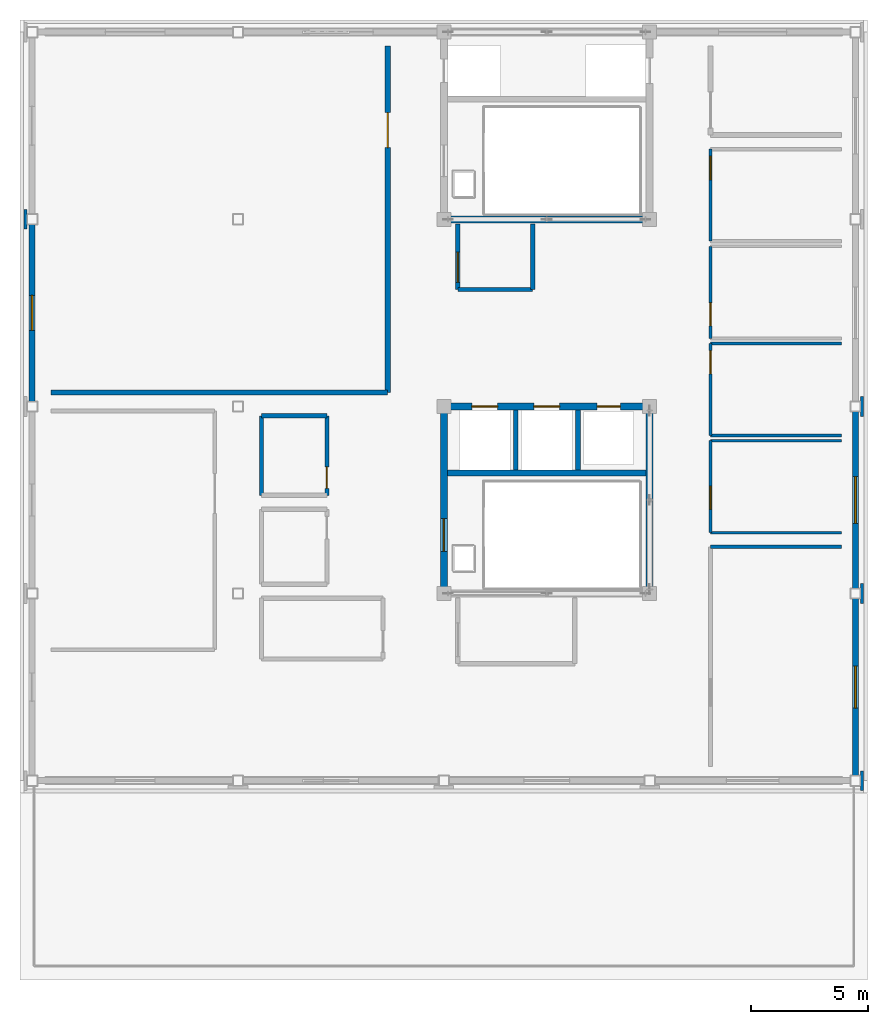
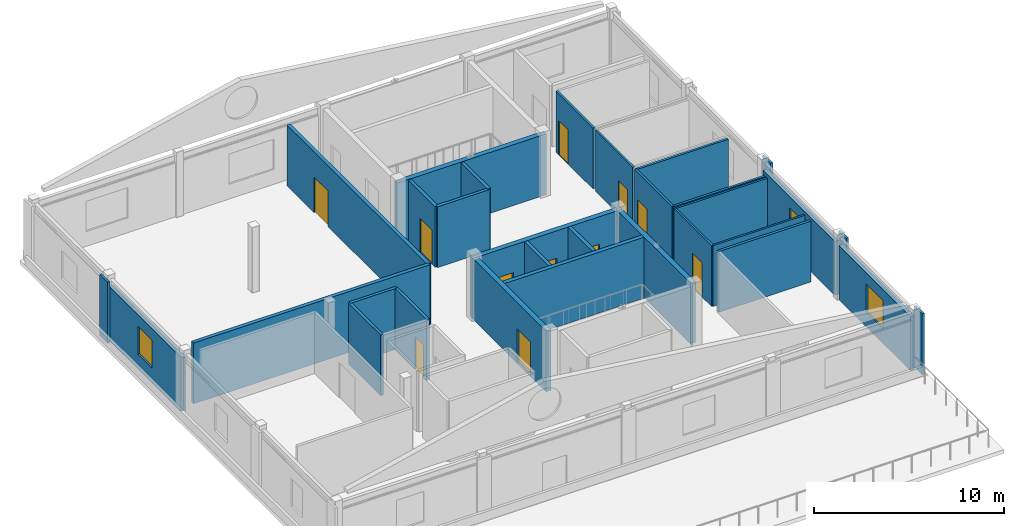
# One storey, part 8 of 10: 31 walls, 11 doors, 3 windows, 14 openings.
"""IFC4 building model written with IfcOpenShell, lengths in metres."""

from ifc_helpers import new_model, si_unit, direction, frame, frame_2d, origin, place, context, subcontext, project, spatial, rectangle, extrude, material, layer, layer_set, type_object, element, fill, save


model = new_model("IFC4")

# Units and contexts
model_context = context("Model", 3, precision=1e-05, world=origin(), true_north=direction((0.0, 1.0)))
body_context = subcontext(model_context, "Body", "Model", "MODEL_VIEW")
ifc_project = project(units=[si_unit("LENGTHUNIT", "METRE"), si_unit("AREAUNIT", "SQUARE_METRE"), si_unit("VOLUMEUNIT", "CUBIC_METRE"), si_unit("PLANEANGLEUNIT", "RADIAN"), si_unit("MASSUNIT", "GRAM", prefix="KILO")], contexts=[model_context])

# Site, building, storey
site_placement = place(None, origin())
site = spatial("IfcSite", under=ifc_project, at=site_placement, CompositionType="ELEMENT")
building_placement = place(site_placement, origin())
building = spatial("IfcBuilding", under=site, at=building_placement, Name="Zhaolan Boulevard Law Courts", CompositionType="ELEMENT")
storey_placement = place(building_placement, frame((0.0, 0.0, 41.39990234375)))
storey = spatial("IfcBuildingStorey", under=building, at=storey_placement, Name="L09", CompositionType="ELEMENT", Elevation=41.39990234375)

# Wall, openings, doors
ifc_material_1 = material(Name="Concrete C50", Category="concrete")
ifc_layer_1 = layer(ifc_material_1, 0.300048828125)
ifc_layer_set_1 = layer_set([ifc_layer_1])
wall_type_1 = type_object("IfcWallType", Name="CORE SHEAR WALL 300", PredefinedType="SHEAR", material=ifc_layer_set_1)
wall_1_placement = place(storey_placement, frame((26.550048828125, 54.0, 0.0), z_axis=(0.0, 0.0, 1.0), x_axis=(-1.0, 0.0, 0.0)))
wall_1 = element("IfcWall", 1, at=wall_1_placement, inside=storey, type_object=wall_type_1, Name="Core Shear Wall CW-W1-L09N", PredefinedType="SHEAR", context=body_context, shape_type="SweptSolid", body=[
    extrude(rectangle(XDim=9.10009765625, YDim=0.300048828125, at=frame_2d((4.550048828125, 0.0))), origin(), (0.0, 0.0, 1.0), 3.920166015625),
])
opening_1_placement = place(wall_1_placement, frame((6.64990234375, 0.0, 0.0)))
opening_1 = element("IfcOpeningElement", 2, at=opening_1_placement, cuts=wall_1, Name="Opening LD-FL-01-L09", PredefinedType="OPENING", context=body_context, shape_type="SweptSolid", body=[
    extrude(rectangle(XDim=1.10009765625, YDim=2.14990234375, at=frame_2d((0.550048828125, 1.074951171875))), frame((0.0, 0.159912109375, 0.0), z_axis=(0.0, -1.0, 0.0), x_axis=(1.0, 0.0, 0.0)), (0.0, 0.0, 1.0), 0.320068359375),
])
opening_2_placement = place(wall_1_placement, frame((4.0, 0.0, 0.0)))
opening_2 = element("IfcOpeningElement", 3, at=opening_2_placement, cuts=wall_1, Name="Opening LD-FL-02-L09", PredefinedType="OPENING", context=body_context, shape_type="SweptSolid", body=[
    extrude(rectangle(XDim=1.10009765625, YDim=2.14990234375, at=frame_2d((0.550048828125, 1.074951171875))), frame((0.0, 0.159912109375, 0.0), z_axis=(0.0, -1.0, 0.0), x_axis=(1.0, 0.0, 0.0)), (0.0, 0.0, 1.0), 0.320068359375),
])
opening_3_placement = place(wall_1_placement, frame((1.39990234375, 0.0, 0.0)))
opening_3 = element("IfcOpeningElement", 4, at=opening_3_placement, cuts=wall_1, Name="Opening LD-JL-01-L09", PredefinedType="OPENING", context=body_context, shape_type="SweptSolid", body=[
    extrude(rectangle(XDim=1.0, YDim=2.14990234375, at=frame_2d((0.5, 1.074951171875))), frame((0.0, 0.159912109375, 0.0), z_axis=(0.0, -1.0, 0.0), x_axis=(1.0, 0.0, 0.0)), (0.0, 0.0, 1.0), 0.320068359375),
])
ifc_material_2 = material(Name="Stainless steel sliding landing door", Category="steel")
door_type_1 = type_object("IfcDoorType", Name="LIFT LANDING 1000X2150", OperationType="DOUBLE_DOOR_SLIDING", PredefinedType="DOOR", material=ifc_material_2)
door_1_placement = place(opening_3_placement, origin())
door_1 = element("IfcDoor", 5, at=door_1_placement, inside=storey, type_object=door_type_1, Name="Lift Landing Sliding Door LD-JL-01-L09", OperationType="DOUBLE_DOOR_SLIDING", OverallHeight=2.14990234375, OverallWidth=1.0, PredefinedType="DOOR", context=body_context, shape_type="SweptSolid", body=[
    extrude(rectangle(XDim=1.0, YDim=2.14990234375, at=frame_2d((0.5, 1.074951171875))), frame((0.0, 0.02490234375, 0.0), z_axis=(0.0, -1.0, 0.0), x_axis=(1.0, 0.0, 0.0)), (0.0, 0.0, 1.0), 0.050048828125),
])
fill(opening_3, door_1)
ifc_material_3 = material(Name="Stainless steel sliding landing door", Category="steel")
door_type_2 = type_object("IfcDoorType", Name="LIFT LANDING 1100X2150", OperationType="DOUBLE_DOOR_SLIDING", PredefinedType="DOOR", material=ifc_material_3)
door_2_placement = place(opening_1_placement, origin())
door_2 = element("IfcDoor", 6, at=door_2_placement, inside=storey, type_object=door_type_2, Name="Lift Landing Sliding Door LD-FL-01-L09", OperationType="DOUBLE_DOOR_SLIDING", OverallHeight=2.14990234375, OverallWidth=1.10009765625, PredefinedType="DOOR", context=body_context, shape_type="SweptSolid", body=[
    extrude(rectangle(XDim=1.10009765625, YDim=2.14990234375, at=frame_2d((0.550048828125, 1.074951171875))), frame((0.0, 0.02490234375, 0.0), z_axis=(0.0, -1.0, 0.0), x_axis=(1.0, 0.0, 0.0)), (0.0, 0.0, 1.0), 0.050048828125),
])
fill(opening_1, door_2)
door_3_placement = place(opening_2_placement, origin())
door_3 = element("IfcDoor", 7, at=door_3_placement, inside=storey, type_object=door_type_2, Name="Lift Landing Sliding Door LD-FL-02-L09", OperationType="DOUBLE_DOOR_SLIDING", OverallHeight=2.14990234375, OverallWidth=1.10009765625, PredefinedType="DOOR", context=body_context, shape_type="SweptSolid", body=[
    extrude(rectangle(XDim=1.10009765625, YDim=2.14990234375, at=frame_2d((0.550048828125, 1.074951171875))), frame((0.0, 0.02490234375, 0.0), z_axis=(0.0, -1.0, 0.0), x_axis=(1.0, 0.0, 0.0)), (0.0, 0.0, 1.0), 0.050048828125),
])
fill(opening_2, door_3)

# Wall, opening, door
wall_2_placement = place(storey_placement, frame((17.60009765625, 46.14990234375, 0.0), z_axis=(0.0, 0.0, 1.0), x_axis=(0.0, 1.0, 0.0)))
wall_2 = element("IfcWall", 8, at=wall_2_placement, inside=storey, type_object=wall_type_1, Name="Core Shear Wall CW-W1-L09W", PredefinedType="SHEAR", context=body_context, shape_type="SweptSolid", body=[
    extrude(rectangle(XDim=7.7001953125, YDim=0.300048828125, at=frame_2d((3.85009765625, 0.0))), origin(), (0.0, 0.0, 1.0), 3.920166015625),
])
opening_4_placement = place(wall_2_placement, frame((1.64990234375, 0.0, 0.0)))
opening_4 = element("IfcOpeningElement", 9, at=opening_4_placement, cuts=wall_2, Name="Opening SD-L09-11", PredefinedType="OPENING", context=body_context, shape_type="SweptSolid", body=[
    extrude(rectangle(XDim=1.39990234375, YDim=2.199951171875, at=frame_2d((0.699951171875, 1.10009765625))), frame((0.0, 0.159912109375, 0.0), z_axis=(0.0, -1.0, 0.0), x_axis=(1.0, 0.0, 0.0)), (0.0, 0.0, 1.0), 0.320068359375),
])
ifc_material_4 = material(Name="Fire-rated steel acoustic door", Category="steel")
door_type_3 = type_object("IfcDoorType", Name="STAIR FIRE 1400X2200 L", OperationType="SINGLE_SWING_LEFT", PredefinedType="DOOR", material=ifc_material_4)
door_4_placement = place(opening_4_placement, origin())
door_4 = element("IfcDoor", 10, at=door_4_placement, inside=storey, type_object=door_type_3, Name="Smoke-Proof Stairwell Fire Door SD-L09-11", OperationType="SINGLE_SWING_LEFT", OverallHeight=2.199951171875, OverallWidth=1.39990234375, PredefinedType="DOOR", context=body_context, shape_type="SweptSolid", body=[
    extrude(rectangle(XDim=1.39990234375, YDim=2.199951171875, at=frame_2d((0.699951171875, 1.10009765625))), frame((0.0, 0.02490234375, 0.0), z_axis=(0.0, -1.0, 0.0), x_axis=(1.0, 0.0, 0.0)), (0.0, 0.0, 1.0), 0.050048828125),
])
fill(opening_4, door_4)

# Walls
wall_3_placement = place(storey_placement, frame((26.39990234375, 46.14990234375, 0.0), z_axis=(0.0, 0.0, 1.0), x_axis=(0.0, 1.0, 0.0)))
element("IfcWall", 11, at=wall_3_placement, inside=storey, type_object=wall_type_1, Name="Core Shear Wall CW-W1-L09E", PredefinedType="SHEAR", context=body_context, shape_type="SweptSolid", body=[
    extrude(rectangle(XDim=7.7001953125, YDim=0.300048828125, at=frame_2d((3.85009765625, 0.0))), origin(), (0.0, 0.0, 1.0), 3.920166015625),
])
wall_4_placement = place(storey_placement, frame((17.449951171875, 62.0, 0.0), z_axis=(0.0, 0.0, 1.0), x_axis=(1.0, 0.0, 0.0)))
element("IfcWall", 12, at=wall_4_placement, inside=storey, type_object=wall_type_1, Name="Core Shear Wall CW-W2-L09S", PredefinedType="SHEAR", context=body_context, shape_type="SweptSolid", body=[
    extrude(rectangle(XDim=9.10009765625, YDim=0.300048828125, at=frame_2d((4.550048828125, 0.0))), origin(), (0.0, 0.0, 1.0), 3.920166015625),
])
ifc_material_5 = material(Name="Concrete C40", Category="concrete")
ifc_layer_2 = layer(ifc_material_5, 0.139892578125)
ifc_layer_set_2 = layer_set([ifc_layer_2])
wall_type_2 = type_object("IfcWallType", Name="EXT WALL ARCH CLAD140", PredefinedType="SOLIDWALL", material=ifc_layer_set_2)
for number, where, z_axis, x_axis, name in (
    (13, (35.47998046875, 37.580078125, 0.0), (0.0, 0.0, 1.0), (0.0, 1.0, 0.0), "Concrete Column Cloak Pier CPR-203"),
    (14, (35.47998046875, 45.580078125, 0.0), (0.0, 0.0, 1.0), (0.0, 1.0, 0.0), "Concrete Column Cloak Pier CPR-205"),
    (15, (35.47998046875, 53.580078125, 0.0), (0.0, 0.0, 1.0), (0.0, 1.0, 0.0), "Concrete Column Cloak Pier CPR-207"),
    (16, (-0.280029296875, 61.580078125, 0.0), (0.0, 0.0, 1.0), (0.0, 1.0, 0.0), "Concrete Column Cloak Pier CPR-208"),
):
    element("IfcWall", number, at=place(storey_placement, frame(where, z_axis=z_axis, x_axis=x_axis)), inside=storey, type_object=wall_type_2, Name=name, PredefinedType="SOLIDWALL", context=body_context, shape_type="SweptSolid", body=[
        extrude(rectangle(XDim=0.83984375, YDim=0.139892578125, at=frame_2d((0.419921875, 0.0))), origin(), (0.0, 0.0, 1.0), 3.940185546875),
    ])

# Wall, opening, window
ifc_material_6 = material(Name="Concrete C40", Category="concrete")
ifc_layer_3 = layer(ifc_material_6, 0.260009765625)
ifc_layer_set_3 = layer_set([ifc_layer_3])
wall_type_3 = type_object("IfcWallType", Name="EXT WALL CONCRETE260", PredefinedType="SOLIDWALL", material=ifc_layer_set_3)
wall_5_placement = place(storey_placement, frame((0.0, 61.779052734375, 0.0), z_axis=(0.0, 0.0, 1.0), x_axis=(0.0, -1.0, 0.0)))
wall_5 = element("IfcWall", 17, at=wall_5_placement, inside=storey, type_object=wall_type_3, Name="Exterior Wall EW-L09-434", PredefinedType="SOLIDWALL", context=body_context, shape_type="SweptSolid", body=[
    extrude(rectangle(XDim=7.55810546875, YDim=0.260009765625, at=frame_2d((3.779052734375, 0.0))), origin(), (0.0, 0.0, 1.0), 3.47314453125),
])
opening_5_placement = place(wall_5_placement, frame((3.029052734375, 0.0, 0.949951171875)))
opening_5 = element("IfcOpeningElement", 18, at=opening_5_placement, cuts=wall_5, Name="Opening WIN-L09-282", PredefinedType="OPENING", context=body_context, shape_type="SweptSolid", body=[
    extrude(rectangle(XDim=1.5, YDim=1.800048828125, at=frame_2d((0.75, 0.89990234375))), frame((0.0, 0.139892578125, 0.0), z_axis=(0.0, -1.0, 0.0), x_axis=(1.0, 0.0, 0.0)), (0.0, 0.0, 1.0), 0.280029296875),
])
ifc_material_7 = material(Name="Thermally broken aluminium and low-E glazing", Category="aluminium")
window_type_1 = type_object("IfcWindowType", Name="WINDOW 1500X1800", PartitioningType="SINGLE_PANEL", PredefinedType="WINDOW", material=ifc_material_7)
window_1_placement = place(opening_5_placement, origin())
window_1 = element("IfcWindow", 19, at=window_1_placement, inside=storey, type_object=window_type_1, Name="Exterior Window WIN-L09-282", OverallHeight=1.800048828125, OverallWidth=1.5, PartitioningType="SINGLE_PANEL", PredefinedType="WINDOW", context=body_context, shape_type="SweptSolid", body=[
    extrude(rectangle(XDim=1.5, YDim=1.800048828125, at=frame_2d((0.75, 0.89990234375))), frame((0.0, 0.030029296875, 0.0), z_axis=(0.0, -1.0, 0.0), x_axis=(1.0, 0.0, 0.0)), (0.0, 0.0, 1.0), 0.06005859375),
])
fill(opening_5, window_1)

wall_6_placement = place(storey_placement, frame((35.199951171875, 38.220947265625, 0.0), z_axis=(0.0, 0.0, 1.0), x_axis=(0.0, 1.0, 0.0)))
wall_6 = element("IfcWall", 20, at=wall_6_placement, inside=storey, type_object=wall_type_3, Name="Exterior Wall EW-L09-436", PredefinedType="SOLIDWALL", context=body_context, shape_type="SweptSolid", body=[
    extrude(rectangle(XDim=7.55810546875, YDim=0.260009765625, at=frame_2d((3.779052734375, 0.0))), origin(), (0.0, 0.0, 1.0), 3.47314453125),
])
opening_6_placement = place(wall_6_placement, frame((2.87890625, 0.0, 0.949951171875)))
opening_6 = element("IfcOpeningElement", 21, at=opening_6_placement, cuts=wall_6, Name="Opening WIN-L09-284", PredefinedType="OPENING", context=body_context, shape_type="SweptSolid", body=[
    extrude(rectangle(XDim=1.800048828125, YDim=1.800048828125, at=frame_2d((0.89990234375, 0.89990234375))), frame((0.0, 0.139892578125, 0.0), z_axis=(0.0, -1.0, 0.0), x_axis=(1.0, 0.0, 0.0)), (0.0, 0.0, 1.0), 0.280029296875),
])
ifc_material_8 = material(Name="Thermally broken aluminium and low-E glazing", Category="aluminium")
window_type_2 = type_object("IfcWindowType", Name="WINDOW 1800X1800", PartitioningType="DOUBLE_PANEL_VERTICAL", PredefinedType="WINDOW", material=ifc_material_8)
window_2_placement = place(opening_6_placement, origin())
window_2 = element("IfcWindow", 22, at=window_2_placement, inside=storey, type_object=window_type_2, Name="Exterior Window WIN-L09-284", OverallHeight=1.800048828125, OverallWidth=1.800048828125, PartitioningType="SINGLE_PANEL", PredefinedType="WINDOW", context=body_context, shape_type="SweptSolid", body=[
    extrude(rectangle(XDim=1.800048828125, YDim=1.800048828125, at=frame_2d((0.89990234375, 0.89990234375))), frame((0.0, 0.030029296875, 0.0), z_axis=(0.0, -1.0, 0.0), x_axis=(1.0, 0.0, 0.0)), (0.0, 0.0, 1.0), 0.06005859375),
])
fill(opening_6, window_2)

wall_7_placement = place(storey_placement, frame((35.199951171875, 46.220947265625, 0.0), z_axis=(0.0, 0.0, 1.0), x_axis=(0.0, 1.0, 0.0)))
wall_7 = element("IfcWall", 23, at=wall_7_placement, inside=storey, type_object=wall_type_3, Name="Exterior Wall EW-L09-437", PredefinedType="SOLIDWALL", context=body_context, shape_type="SweptSolid", body=[
    extrude(rectangle(XDim=7.55810546875, YDim=0.260009765625, at=frame_2d((3.779052734375, 0.0))), origin(), (0.0, 0.0, 1.0), 3.47314453125),
])
opening_7_placement = place(wall_7_placement, frame((2.779052734375, 0.0, 0.949951171875)))
opening_7 = element("IfcOpeningElement", 24, at=opening_7_placement, cuts=wall_7, Name="Opening WIN-L09-285", PredefinedType="OPENING", context=body_context, shape_type="SweptSolid", body=[
    extrude(rectangle(XDim=2.0, YDim=1.800048828125, at=frame_2d((1.0, 0.89990234375))), frame((0.0, 0.139892578125, 0.0), z_axis=(0.0, -1.0, 0.0), x_axis=(1.0, 0.0, 0.0)), (0.0, 0.0, 1.0), 0.280029296875),
])
ifc_material_9 = material(Name="Thermally broken aluminium and low-E glazing", Category="aluminium")
window_type_3 = type_object("IfcWindowType", Name="WINDOW 2000X1800", PartitioningType="DOUBLE_PANEL_VERTICAL", PredefinedType="WINDOW", material=ifc_material_9)
window_3_placement = place(opening_7_placement, origin())
window_3 = element("IfcWindow", 25, at=window_3_placement, inside=storey, type_object=window_type_3, Name="Exterior Window WIN-L09-285", OverallHeight=1.800048828125, OverallWidth=2.0, PartitioningType="SINGLE_PANEL", PredefinedType="WINDOW", context=body_context, shape_type="SweptSolid", body=[
    extrude(rectangle(XDim=2.0, YDim=1.800048828125, at=frame_2d((1.0, 0.89990234375))), frame((0.0, 0.030029296875, 0.0), z_axis=(0.0, -1.0, 0.0), x_axis=(1.0, 0.0, 0.0)), (0.0, 0.0, 1.0), 0.06005859375),
])
fill(opening_7, window_3)

# Walls
ifc_material_10 = material(Name="Concrete C50", Category="concrete")
ifc_layer_4 = layer(ifc_material_10, 0.239990234375)
ifc_layer_set_4 = layer_set([ifc_layer_4])
wall_type_4 = type_object("IfcWallType", Name="LIFT SHAFT WALL 240", PredefinedType="SHEAR", material=ifc_layer_set_4)
wall_8_placement = place(storey_placement, frame((17.75, 51.155029296875, 0.0), z_axis=(0.0, 0.0, 1.0), x_axis=(1.0, 0.0, 0.0)))
element("IfcWall", 26, at=wall_8_placement, inside=storey, type_object=wall_type_4, Name="Lift Shaft Enclosure Wall W1 (L09)", PredefinedType="SHEAR", context=body_context, shape_type="SweptSolid", body=[
    extrude(rectangle(XDim=8.5, YDim=0.239990234375, at=frame_2d((4.25, 0.0))), origin(), (0.0, 0.0, 1.0), 3.920166015625),
])
ifc_material_11 = material(Name="Acoustic gypsum and mineral-wool stud")
ifc_layer_5 = layer(ifc_material_11, 0.18994140625)
ifc_layer_set_5 = layer_set([ifc_layer_5])
wall_type_5 = type_object("IfcWallType", Name="PART WALL ACOUST190", PredefinedType="PARTITIONING", material=ifc_layer_set_5)
wall_9_placement = place(storey_placement, frame((18.199951171875, 59.0, 0.0), z_axis=(0.0, 0.0, 1.0), x_axis=(1.0, 0.0, 0.0)))
element("IfcWall", 27, at=wall_9_placement, inside=storey, type_object=wall_type_5, Name="Interior Partition PW-L09-064", PredefinedType="PARTITIONING", context=body_context, shape_type="SweptSolid", body=[
    extrude(rectangle(XDim=3.199951171875, YDim=0.18994140625, at=frame_2d((1.60009765625, 0.0))), origin(), (0.0, 0.0, 1.0), 3.920166015625),
])

# Wall, opening, door
wall_10_placement = place(storey_placement, frame((18.199951171875, 61.800048828125, 0.0), z_axis=(0.0, 0.0, 1.0), x_axis=(0.0, -1.0, 0.0)))
wall_10 = element("IfcWall", 28, at=wall_10_placement, inside=storey, type_object=wall_type_5, Name="Interior Partition PW-L09-065", PredefinedType="PARTITIONING", context=body_context, shape_type="SweptSolid", body=[
    extrude(rectangle(XDim=2.800048828125, YDim=0.18994140625, at=frame_2d((1.39990234375, 0.0))), origin(), (0.0, 0.0, 1.0), 3.920166015625),
])
opening_8_placement = place(wall_10_placement, frame((1.199951171875, 0.0, 0.0)))
opening_8 = element("IfcOpeningElement", 29, at=opening_8_placement, cuts=wall_10, Name="Opening FD-L09-022", PredefinedType="OPENING", context=body_context, shape_type="SweptSolid", body=[
    extrude(rectangle(XDim=1.300048828125, YDim=2.199951171875, at=frame_2d((0.64990234375, 1.10009765625))), frame((0.0, 0.10498046875, 0.0), z_axis=(0.0, -1.0, 0.0), x_axis=(1.0, 0.0, 0.0)), (0.0, 0.0, 1.0), 0.2099609375),
])
ifc_material_12 = material(Name="Fire-rated steel acoustic door", Category="steel")
door_type_4 = type_object("IfcDoorType", Name="LOBBY FIRE 1300X2200 R", OperationType="SINGLE_SWING_RIGHT", PredefinedType="DOOR", material=ifc_material_12)
door_5_placement = place(opening_8_placement, origin())
door_5 = element("IfcDoor", 30, at=door_5_placement, inside=storey, type_object=door_type_4, Name="Door FD-L09-022 (Lobby Firefighting Lift L09-W2)", OperationType="SINGLE_SWING_RIGHT", OverallHeight=2.199951171875, OverallWidth=1.300048828125, PredefinedType="DOOR", context=body_context, shape_type="SweptSolid", body=[
    extrude(rectangle(XDim=1.300048828125, YDim=2.199951171875, at=frame_2d((0.64990234375, 1.10009765625))), frame((0.0, 0.02490234375, 0.0), z_axis=(0.0, -1.0, 0.0), x_axis=(1.0, 0.0, 0.0)), (0.0, 0.0, 1.0), 0.050048828125),
])
fill(opening_8, door_5)

# Walls
wall_11_placement = place(storey_placement, frame((21.39990234375, 59.0, 0.0), z_axis=(0.0, 0.0, 1.0), x_axis=(0.0, 1.0, 0.0)))
element("IfcWall", 31, at=wall_11_placement, inside=storey, type_object=wall_type_5, Name="Interior Partition PW-L09-066", PredefinedType="PARTITIONING", context=body_context, shape_type="SweptSolid", body=[
    extrude(rectangle(XDim=2.800048828125, YDim=0.18994140625, at=frame_2d((1.39990234375, 0.0))), origin(), (0.0, 0.0, 1.0), 3.920166015625),
])
ifc_material_13 = material(Name="Fire-rated gypsum stud partition")
ifc_layer_6 = layer(ifc_material_13, 0.159912109375)
ifc_layer_set_6 = layer_set([ifc_layer_6])
wall_type_6 = type_object("IfcWallType", Name="PART WALL CHAMB160", PredefinedType="PARTITIONING", material=ifc_layer_set_6)
wall_12_placement = place(storey_placement, frame((34.60009765625, 48.0, 0.0), z_axis=(0.0, 0.0, 1.0), x_axis=(-1.0, 0.0, 0.0)))
element("IfcWall", 32, at=wall_12_placement, inside=storey, type_object=wall_type_6, Name="Interior Partition PW-L09-732", PredefinedType="PARTITIONING", context=body_context, shape_type="SweptSolid", body=[
    extrude(rectangle(XDim=5.60009765625, YDim=0.159912109375, at=frame_2d((2.800048828125, 0.0))), origin(), (0.0, 0.0, 1.0), 3.920166015625),
])
ifc_material_14 = material(Name="Concrete C40", Category="concrete")
ifc_layer_7 = layer(ifc_material_14, 0.219970703125)
ifc_layer_set_7 = layer_set([ifc_layer_7])
wall_type_7 = type_object("IfcWallType", Name="PART WALL COURT220", PredefinedType="PARTITIONING", material=ifc_layer_set_7)
wall_13_placement = place(storey_placement, frame((0.800048828125, 54.60009765625, 0.0), z_axis=(0.0, 0.0, 1.0), x_axis=(1.0, 0.0, 0.0)))
element("IfcWall", 33, at=wall_13_placement, inside=storey, type_object=wall_type_7, Name="Interior Partition PW-L09-730", PredefinedType="PARTITIONING", context=body_context, shape_type="SweptSolid", body=[
    extrude(rectangle(XDim=14.39990234375, YDim=0.219970703125, at=frame_2d((7.199951171875, 0.0))), origin(), (0.0, 0.0, 1.0), 3.920166015625),
])

# Wall, opening, door
wall_14_placement = place(storey_placement, frame((15.199951171875, 54.60009765625, 0.0), z_axis=(0.0, 0.0, 1.0), x_axis=(0.0, 1.0, 0.0)))
wall_14 = element("IfcWall", 34, at=wall_14_placement, inside=storey, type_object=wall_type_7, Name="Interior Partition PW-L09-731", PredefinedType="PARTITIONING", context=body_context, shape_type="SweptSolid", body=[
    extrude(rectangle(XDim=14.7998046875, YDim=0.219970703125, at=frame_2d((7.39990234375, 0.0))), origin(), (0.0, 0.0, 1.0), 3.920166015625),
])
opening_9_placement = place(wall_14_placement, frame((10.4599609375, 0.0, 0.0)))
opening_9 = element("IfcOpeningElement", 35, at=opening_9_placement, cuts=wall_14, Name="Opening ID-L09-227", PredefinedType="OPENING", context=body_context, shape_type="SweptSolid", body=[
    extrude(rectangle(XDim=1.5, YDim=2.300048828125, at=frame_2d((0.75, 1.14990234375))), frame((0.0, 0.119873046875, 0.0), z_axis=(0.0, -1.0, 0.0), x_axis=(1.0, 0.0, 0.0)), (0.0, 0.0, 1.0), 0.239990234375),
])
ifc_material_15 = material(Name="Solid-core acoustic oak veneer door")
door_type_5 = type_object("IfcDoorType", Name="COURT DOUBLE 1500X2300", OperationType="DOUBLE_DOOR_SINGLE_SWING", PredefinedType="DOOR", material=ifc_material_15)
door_6_placement = place(opening_9_placement, origin())
door_6 = element("IfcDoor", 36, at=door_6_placement, inside=storey, type_object=door_type_5, Name="Door ID-L09-227 (Judicial Committee Courtroom)", OperationType="DOUBLE_DOOR_SINGLE_SWING", OverallHeight=2.300048828125, OverallWidth=1.5, PredefinedType="DOOR", context=body_context, shape_type="SweptSolid", body=[
    extrude(rectangle(XDim=1.5, YDim=2.300048828125, at=frame_2d((0.75, 1.14990234375))), frame((0.0, 0.02490234375, 0.0), z_axis=(0.0, -1.0, 0.0), x_axis=(1.0, 0.0, 0.0)), (0.0, 0.0, 1.0), 0.050048828125),
])
fill(opening_9, door_6)

# Walls
ifc_material_16 = material(Name="Concrete C40", Category="concrete")
ifc_layer_8 = layer(ifc_material_16, 0.2099609375)
ifc_layer_set_8 = layer_set([ifc_layer_8])
wall_type_8 = type_object("IfcWallType", Name="PART WALL CUSTODY210", PredefinedType="PARTITIONING", material=ifc_layer_set_8)
for number, where, z_axis, x_axis, name in (
    (37, (20.675048828125, 51.277099609375, 0.0), (0.0, 0.0, 1.0), (0.0, 1.0, 0.0), "Lift Shaft Divider Wall W1-1 (L09)"),
    (38, (23.337890625, 51.277099609375, 0.0), (0.0, 0.0, 1.0), (0.0, 1.0, 0.0), "Lift Shaft Divider Wall W1-2 (L09)"),
):
    element("IfcWall", number, at=place(storey_placement, frame(where, z_axis=z_axis, x_axis=x_axis)), inside=storey, type_object=wall_type_8, Name=name, PredefinedType="PARTITIONING", context=body_context, shape_type="SweptSolid", body=[
        extrude(rectangle(XDim=2.57080078125, YDim=0.2099609375, at=frame_2d((1.285400390625, 0.0))), origin(), (0.0, 0.0, 1.0), 3.920166015625),
    ])
ifc_material_17 = material(Name="Gypsum board stud partition")
ifc_layer_9 = layer(ifc_material_17, 0.1201171875)
ifc_layer_set_9 = layer_set([ifc_layer_9])
wall_type_9 = type_object("IfcWallType", Name="PART WALL LIGHT120", PredefinedType="PARTITIONING", material=ifc_layer_set_9)
for number, where, z_axis, x_axis, name in (
    (39, (29.0, 48.60009765625, 0.0), (0.0, 0.0, 1.0), (1.0, 0.0, 0.0), "Interior Partition PW-L09-734"),
    (40, (34.60009765625, 52.534912109375, 0.0), (0.0, 0.0, 1.0), (-1.0, 0.0, 0.0), "Interior Partition PW-L09-735"),
):
    element("IfcWall", number, at=place(storey_placement, frame(where, z_axis=z_axis, x_axis=x_axis)), inside=storey, type_object=wall_type_9, Name=name, PredefinedType="PARTITIONING", context=body_context, shape_type="SweptSolid", body=[
        extrude(rectangle(XDim=5.60009765625, YDim=0.1201171875, at=frame_2d((2.800048828125, 0.0))), origin(), (0.0, 0.0, 1.0), 3.920166015625),
    ])

# Wall, opening, door
wall_15_placement = place(storey_placement, frame((29.0, 52.534912109375, 0.0), z_axis=(0.0, 0.0, 1.0), x_axis=(0.0, -1.0, 0.0)))
wall_15 = element("IfcWall", 41, at=wall_15_placement, inside=storey, type_object=wall_type_9, Name="Interior Partition PW-L09-736", PredefinedType="PARTITIONING", context=body_context, shape_type="SweptSolid", body=[
    extrude(rectangle(XDim=3.934814453125, YDim=0.1201171875, at=frame_2d((1.96728515625, 0.0))), origin(), (0.0, 0.0, 1.0), 3.920166015625),
])
opening_10_placement = place(wall_15_placement, frame((1.947998046875, 0.0, 0.0)))
opening_10 = element("IfcOpeningElement", 42, at=opening_10_placement, cuts=wall_15, Name="Opening JD-L09-229", PredefinedType="OPENING", context=body_context, shape_type="SweptSolid", body=[
    extrude(rectangle(XDim=0.97998046875, YDim=2.199951171875, at=frame_2d((0.489990234375, 1.10009765625))), frame((0.0, 0.070068359375, 0.0), z_axis=(0.0, -1.0, 0.0), x_axis=(1.0, 0.0, 0.0)), (0.0, 0.0, 1.0), 0.14013671875),
])
ifc_material_18 = material(Name="Solid-core acoustic oak veneer door")
door_type_6 = type_object("IfcDoorType", Name="CHAMBER DOOR 980X2200 R", OperationType="SINGLE_SWING_RIGHT", PredefinedType="DOOR", material=ifc_material_18)
door_7_placement = place(opening_10_placement, origin())
door_7 = element("IfcDoor", 43, at=door_7_placement, inside=storey, type_object=door_type_6, Name="Door JD-L09-229 (Judges' Chambers L09-01)", OperationType="SINGLE_SWING_RIGHT", OverallHeight=2.199951171875, OverallWidth=0.97998046875, PredefinedType="DOOR", context=body_context, shape_type="SweptSolid", body=[
    extrude(rectangle(XDim=0.97998046875, YDim=2.199951171875, at=frame_2d((0.489990234375, 1.10009765625))), frame((0.0, 0.02490234375, 0.0), z_axis=(0.0, -1.0, 0.0), x_axis=(1.0, 0.0, 0.0)), (0.0, 0.0, 1.0), 0.050048828125),
])
fill(opening_10, door_7)

wall_16_placement = place(storey_placement, frame((29.0, 60.844970703125, 0.0), z_axis=(0.0, 0.0, 1.0), x_axis=(0.0, -1.0, 0.0)))
wall_16 = element("IfcWall", 44, at=wall_16_placement, inside=storey, type_object=wall_type_9, Name="Interior Partition PW-L09-742", PredefinedType="PARTITIONING", context=body_context, shape_type="SweptSolid", body=[
    extrude(rectangle(XDim=3.93505859375, YDim=0.1201171875, at=frame_2d((1.967529296875, 0.0))), origin(), (0.0, 0.0, 1.0), 3.920166015625),
])
opening_11_placement = place(wall_16_placement, frame((2.419921875, 0.0, 0.0)))
opening_11 = element("IfcOpeningElement", 45, at=opening_11_placement, cuts=wall_16, Name="Opening JD-L09-231", PredefinedType="OPENING", context=body_context, shape_type="SweptSolid", body=[
    extrude(rectangle(XDim=0.97998046875, YDim=2.14990234375, at=frame_2d((0.489990234375, 1.074951171875))), frame((0.0, 0.070068359375, 0.0), z_axis=(0.0, -1.0, 0.0), x_axis=(1.0, 0.0, 0.0)), (0.0, 0.0, 1.0), 0.14013671875),
])
ifc_material_19 = material(Name="Solid-core acoustic oak veneer door")
door_type_7 = type_object("IfcDoorType", Name="CHAMBER DOOR 980X2150 R", OperationType="SINGLE_SWING_RIGHT", PredefinedType="DOOR", material=ifc_material_19)
door_8_placement = place(opening_11_placement, origin())
door_8 = element("IfcDoor", 46, at=door_8_placement, inside=storey, type_object=door_type_7, Name="Door JD-L09-231 (Judges' Chambers L09-03)", OperationType="SINGLE_SWING_RIGHT", OverallHeight=2.14990234375, OverallWidth=0.97998046875, PredefinedType="DOOR", context=body_context, shape_type="SweptSolid", body=[
    extrude(rectangle(XDim=0.97998046875, YDim=2.14990234375, at=frame_2d((0.489990234375, 1.074951171875))), frame((0.0, 0.02490234375, 0.0), z_axis=(0.0, -1.0, 0.0), x_axis=(1.0, 0.0, 0.0)), (0.0, 0.0, 1.0), 0.050048828125),
])
fill(opening_11, door_8)

# Walls
ifc_material_20 = material(Name="Fire-rated gypsum stud partition")
ifc_layer_10 = layer(ifc_material_20, 0.139892578125)
ifc_layer_set_10 = layer_set([ifc_layer_10])
wall_type_10 = type_object("IfcWallType", Name="PART WALL OFFICE140", PredefinedType="PARTITIONING", material=ifc_layer_set_10)
for number, where, z_axis, x_axis, name in (
    (47, (29.0, 52.7548828125, 0.0), (0.0, 0.0, 1.0), (1.0, 0.0, 0.0), "Interior Partition PW-L09-737"),
    (48, (34.60009765625, 56.68994140625, 0.0), (0.0, 0.0, 1.0), (-1.0, 0.0, 0.0), "Interior Partition PW-L09-738"),
):
    element("IfcWall", number, at=place(storey_placement, frame(where, z_axis=z_axis, x_axis=x_axis)), inside=storey, type_object=wall_type_10, Name=name, PredefinedType="PARTITIONING", context=body_context, shape_type="SweptSolid", body=[
        extrude(rectangle(XDim=5.60009765625, YDim=0.139892578125, at=frame_2d((2.800048828125, 0.0))), origin(), (0.0, 0.0, 1.0), 3.920166015625),
    ])

# Wall, opening, door
wall_17_placement = place(storey_placement, frame((29.0, 56.68994140625, 0.0), z_axis=(0.0, 0.0, 1.0), x_axis=(0.0, -1.0, 0.0)))
wall_17 = element("IfcWall", 49, at=wall_17_placement, inside=storey, type_object=wall_type_10, Name="Interior Partition PW-L09-739", PredefinedType="PARTITIONING", context=body_context, shape_type="SweptSolid", body=[
    extrude(rectangle(XDim=3.93505859375, YDim=0.139892578125, at=frame_2d((1.967529296875, 0.0))), origin(), (0.0, 0.0, 1.0), 3.920166015625),
])
opening_12_placement = place(wall_17_placement, frame((0.300048828125, 0.0, 0.0)))
opening_12 = element("IfcOpeningElement", 50, at=opening_12_placement, cuts=wall_17, Name="Opening JD-L09-230", PredefinedType="OPENING", context=body_context, shape_type="SweptSolid", body=[
    extrude(rectangle(XDim=1.0, YDim=2.14990234375, at=frame_2d((0.5, 1.074951171875))), frame((0.0, 0.079833984375, 0.0), z_axis=(0.0, -1.0, 0.0), x_axis=(1.0, 0.0, 0.0)), (0.0, 0.0, 1.0), 0.159912109375),
])
ifc_material_21 = material(Name="Solid-core acoustic oak veneer door")
door_type_8 = type_object("IfcDoorType", Name="CHAMBER DOOR 1000X2150 L", OperationType="SINGLE_SWING_LEFT", PredefinedType="DOOR", material=ifc_material_21)
door_9_placement = place(opening_12_placement, origin())
door_9 = element("IfcDoor", 51, at=door_9_placement, inside=storey, type_object=door_type_8, Name="Door JD-L09-230 (Judges' Chambers L09-02)", OperationType="SINGLE_SWING_LEFT", OverallHeight=2.14990234375, OverallWidth=1.0, PredefinedType="DOOR", context=body_context, shape_type="SweptSolid", body=[
    extrude(rectangle(XDim=1.0, YDim=2.14990234375, at=frame_2d((0.5, 1.074951171875))), frame((0.0, 0.02490234375, 0.0), z_axis=(0.0, -1.0, 0.0), x_axis=(1.0, 0.0, 0.0)), (0.0, 0.0, 1.0), 0.050048828125),
])
fill(opening_12, door_9)

wall_18_placement = place(storey_placement, frame((29.0, 65.0, 0.0), z_axis=(0.0, 0.0, 1.0), x_axis=(0.0, -1.0, 0.0)))
wall_18 = element("IfcWall", 52, at=wall_18_placement, inside=storey, type_object=wall_type_10, Name="Interior Partition PW-L09-745", PredefinedType="PARTITIONING", context=body_context, shape_type="SweptSolid", body=[
    extrude(rectangle(XDim=3.93505859375, YDim=0.139892578125, at=frame_2d((1.967529296875, 0.0))), origin(), (0.0, 0.0, 1.0), 3.920166015625),
])
opening_13_placement = place(wall_18_placement, frame((0.300048828125, 0.0, 0.0)))
opening_13 = element("IfcOpeningElement", 53, at=opening_13_placement, cuts=wall_18, Name="Opening JD-L09-232", PredefinedType="OPENING", context=body_context, shape_type="SweptSolid", body=[
    extrude(rectangle(XDim=1.0, YDim=2.199951171875, at=frame_2d((0.5, 1.10009765625))), frame((0.0, 0.079833984375, 0.0), z_axis=(0.0, -1.0, 0.0), x_axis=(1.0, 0.0, 0.0)), (0.0, 0.0, 1.0), 0.159912109375),
])
ifc_material_22 = material(Name="Solid-core acoustic oak veneer door")
door_type_9 = type_object("IfcDoorType", Name="CHAMBER DOOR 1000X2200 L", OperationType="SINGLE_SWING_LEFT", PredefinedType="DOOR", material=ifc_material_22)
door_10_placement = place(opening_13_placement, origin())
door_10 = element("IfcDoor", 54, at=door_10_placement, inside=storey, type_object=door_type_9, Name="Door JD-L09-232 (Judges' Chambers L09-04)", OperationType="SINGLE_SWING_LEFT", OverallHeight=2.199951171875, OverallWidth=1.0, PredefinedType="DOOR", context=body_context, shape_type="SweptSolid", body=[
    extrude(rectangle(XDim=1.0, YDim=2.199951171875, at=frame_2d((0.5, 1.10009765625))), frame((0.0, 0.02490234375, 0.0), z_axis=(0.0, -1.0, 0.0), x_axis=(1.0, 0.0, 0.0)), (0.0, 0.0, 1.0), 0.050048828125),
])
fill(opening_13, door_10)

# Walls
ifc_material_23 = material(Name="Moisture-resistant masonry chase wall", Category="masonry")
ifc_layer_11 = layer(ifc_material_23, 0.179931640625)
ifc_layer_set_11 = layer_set([ifc_layer_11])
wall_type_11 = type_object("IfcWallType", Name="PLUMB WALL 180", PredefinedType="PLUMBINGWALL", material=ifc_layer_set_11)
wall_19_placement = place(storey_placement, frame((12.60009765625, 53.60009765625, 0.0), z_axis=(0.0, 0.0, 1.0), x_axis=(-1.0, 0.0, 0.0)))
element("IfcWall", 55, at=wall_19_placement, inside=storey, type_object=wall_type_11, Name="Interior Partition PW-L09-204", PredefinedType="PLUMBINGWALL", context=body_context, shape_type="SweptSolid", body=[
    extrude(rectangle(XDim=2.800048828125, YDim=0.179931640625, at=frame_2d((1.39990234375, 0.0))), origin(), (0.0, 0.0, 1.0), 3.920166015625),
])
wall_20_placement = place(storey_placement, frame((9.800048828125, 53.60009765625, 0.0), z_axis=(0.0, 0.0, 1.0), x_axis=(0.0, -1.0, 0.0)))
element("IfcWall", 56, at=wall_20_placement, inside=storey, type_object=wall_type_11, Name="Interior Partition PW-L09-205", PredefinedType="PLUMBINGWALL", context=body_context, shape_type="SweptSolid", body=[
    extrude(rectangle(XDim=3.400146484375, YDim=0.179931640625, at=frame_2d((1.7001953125, 0.0))), origin(), (0.0, 0.0, 1.0), 3.920166015625),
])

# Wall, opening, door
wall_21_placement = place(storey_placement, frame((12.60009765625, 50.199951171875, 0.0), z_axis=(0.0, 0.0, 1.0), x_axis=(0.0, 1.0, 0.0)))
wall_21 = element("IfcWall", 57, at=wall_21_placement, inside=storey, type_object=wall_type_11, Name="Interior Partition PW-L09-206", PredefinedType="PLUMBINGWALL", context=body_context, shape_type="SweptSolid", body=[
    extrude(rectangle(XDim=3.400146484375, YDim=0.179931640625, at=frame_2d((1.7001953125, 0.0))), origin(), (0.0, 0.0, 1.0), 3.920166015625),
])
opening_14_placement = place(wall_21_placement, frame((0.300048828125, 0.0, 0.0)))
opening_14 = element("IfcOpeningElement", 58, at=opening_14_placement, cuts=wall_21, Name="Opening WD-L09-059", PredefinedType="OPENING", context=body_context, shape_type="SweptSolid", body=[
    extrude(rectangle(XDim=0.919921875, YDim=2.10009765625, at=frame_2d((0.4599609375, 1.050048828125))), frame((0.0, 0.099853515625, 0.0), z_axis=(0.0, -1.0, 0.0), x_axis=(1.0, 0.0, 0.0)), (0.0, 0.0, 1.0), 0.199951171875),
])
ifc_material_24 = material(Name="Solid-core acoustic oak veneer door")
door_type_10 = type_object("IfcDoorType", Name="WCDOOR PUB 920X2100 R", OperationType="SINGLE_SWING_RIGHT", PredefinedType="DOOR", material=ifc_material_24)
door_11_placement = place(opening_14_placement, origin())
door_11 = element("IfcDoor", 59, at=door_11_placement, inside=storey, type_object=door_type_10, Name="Door WD-L09-059 (WC Public Male L09)", OperationType="SINGLE_SWING_RIGHT", OverallHeight=2.10009765625, OverallWidth=0.919921875, PredefinedType="DOOR", context=body_context, shape_type="SweptSolid", body=[
    extrude(rectangle(XDim=0.919921875, YDim=2.10009765625, at=frame_2d((0.4599609375, 1.050048828125))), frame((0.0, 0.02490234375, 0.0), z_axis=(0.0, -1.0, 0.0), x_axis=(1.0, 0.0, 0.0)), (0.0, 0.0, 1.0), 0.050048828125),
])
fill(opening_14, door_11)

save(model, "model.ifc")
